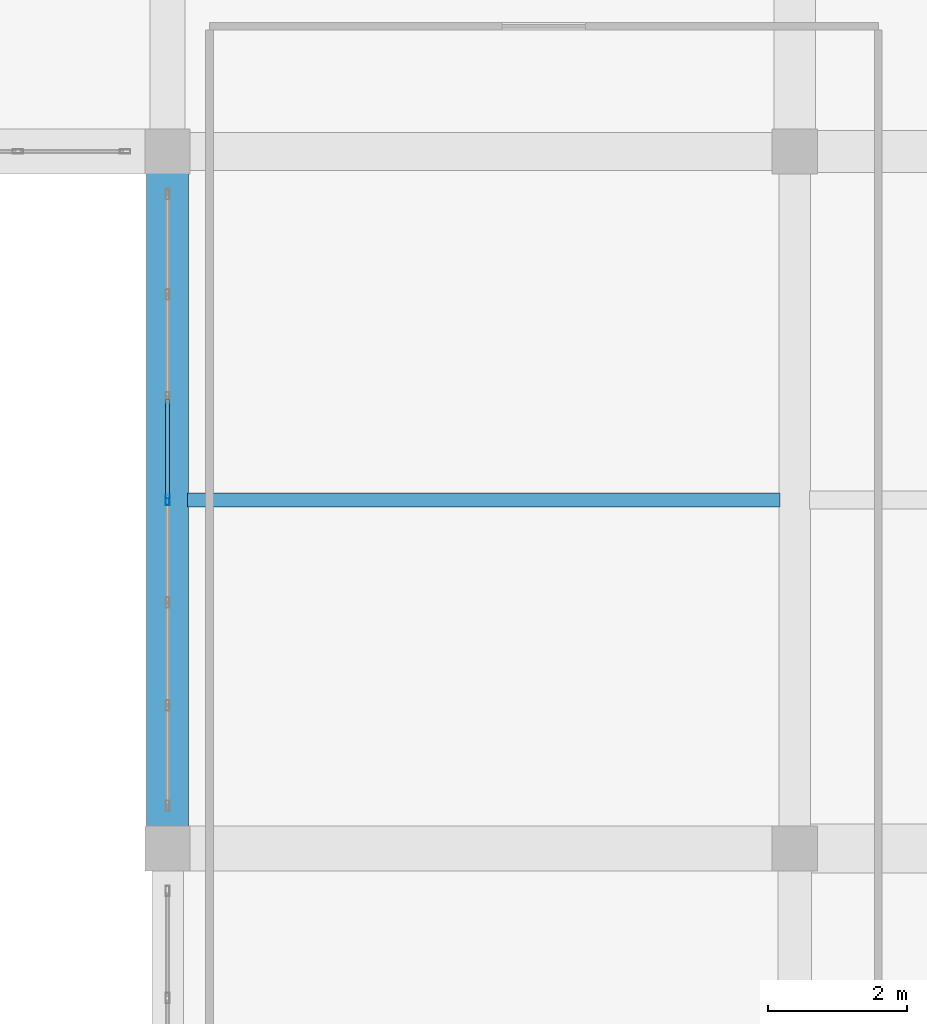
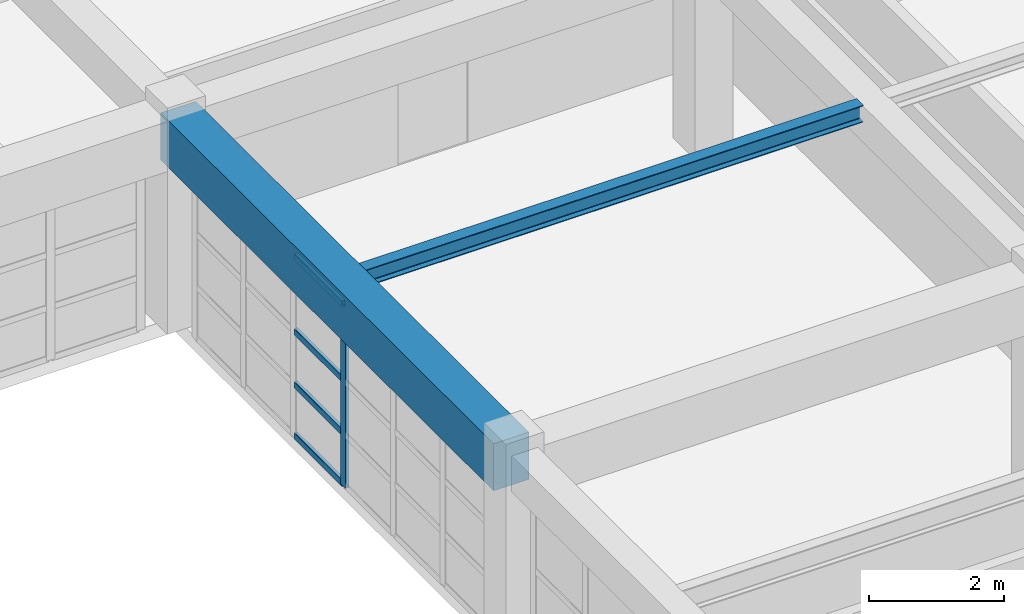
# One storey, part 30 of 130: 5 members, 2 beams, 1 element without a shape of its own.
"""IFC4 building model written with IfcOpenShell, lengths in metres."""

from ifc_helpers import new_model, si_unit, direction, frame, origin, origin_2d, place, context, subcontext, project, spatial, rectangle, hollow_rectangle, i_section, extrude, material, material_profile, profile_set, type_object, element, aggregate, save


model = new_model("IFC4")

# Units and contexts
model_context = context("Model", 3, precision=1e-05, world=origin(), true_north=direction((0.0, 1.0)))
body_context = subcontext(model_context, "Body", "Model", "MODEL_VIEW")
ifc_project = project(units=[si_unit("LENGTHUNIT", "METRE"), si_unit("AREAUNIT", "SQUARE_METRE"), si_unit("VOLUMEUNIT", "CUBIC_METRE"), si_unit("PLANEANGLEUNIT", "RADIAN"), si_unit("MASSUNIT", "GRAM", prefix="KILO")], contexts=[model_context])

# Site, building, storey
site_placement = place(None, origin())
site = spatial("IfcSite", under=ifc_project, at=site_placement, CompositionType="ELEMENT")
building_placement = place(site_placement, origin())
building = spatial("IfcBuilding", under=site, at=building_placement, Name="Miravela Opera House", CompositionType="ELEMENT")
storey_placement = place(building_placement, frame((0.0, 0.0, 9.52001953125)))
storey = spatial("IfcBuildingStorey", under=building, at=storey_placement, Name="L02", CompositionType="ELEMENT", Elevation=9.52001953125)

# Curtain wall, members
ifc_material_1 = material(Name="Anodised architectural bronze aluminium 6063-T6", Category="aluminium")
curtain_wall_type = type_object("IfcCurtainWallType", Name="ARC-CW-06", PredefinedType="NOTDEFINED", material=ifc_material_1)
curtain_wall_placement = place(storey_placement, origin())
curtain_wall = element("IfcCurtainWall", 1, at=curtain_wall_placement, inside=storey, type_object=curtain_wall_type, Name="Courtyard Arcade Curtain Wall CW-L02-147", PredefinedType="NOTDEFINED")
ifc_material_profile_1 = material_profile(ifc_material_1, hollow_rectangle(XDim=0.06005859375, YDim=0.14990234375, WallThickness=0.00390625, InnerFilletRadius=0.001953125, OuterFilletRadius=0.00390625, at=origin_2d()), Name="CWM-60X150")
ifc_profile_set_1 = profile_set([ifc_material_profile_1])
member_type_1 = type_object("IfcMemberType", Name="ARC-CWM-150", PredefinedType="MULLION", material=ifc_profile_set_1)
member_1_placement = place(storey_placement, frame((63.0, 23.0, 0.0), z_axis=(0.0, 0.0, 1.0), x_axis=(-1.0, 0.0, 0.0)))
member_1 = element("IfcMember", 2, at=member_1_placement, type_object=member_type_1, Name="CW-06 mullion 4", PredefinedType="MULLION", context=body_context, shape_type="SweptSolid", body=[
    extrude(hollow_rectangle(XDim=0.06005859375, YDim=0.14990234375, WallThickness=0.00390625, InnerFilletRadius=0.001953125, OuterFilletRadius=0.00390625, at=origin_2d()), origin(), (0.0, 0.0, 1.0), 3.2900390625),
])
ifc_material_profile_2 = material_profile(ifc_material_1, hollow_rectangle(XDim=0.06005859375, YDim=0.114990234375, WallThickness=0.00390625, InnerFilletRadius=0.001953125, OuterFilletRadius=0.00390625, at=origin_2d()), Name="CWT-60X115")
ifc_profile_set_2 = profile_set([ifc_material_profile_2])
member_type_2 = type_object("IfcMemberType", Name="ARC-CWT-115", PredefinedType="USERDEFINED", material=ifc_profile_set_2)
member_2_placement = place(storey_placement, frame((63.0, 23.030029296875, 0.030029296875), z_axis=(0.0, 1.0, 0.0), x_axis=(-1.0, 0.0, 0.0)))
member_2 = element("IfcMember", 3, at=member_2_placement, type_object=member_type_2, Name="CW-06 transom 4.1", ObjectType="TRANSOM", PredefinedType="USERDEFINED", context=body_context, shape_type="SweptSolid", body=[
    extrude(hollow_rectangle(XDim=0.06005859375, YDim=0.114990234375, WallThickness=0.00390625, InnerFilletRadius=0.001953125, OuterFilletRadius=0.00390625, at=origin_2d()), origin(), (0.0, 0.0, 1.0), 1.413330078125),
])
member_3_placement = place(storey_placement, frame((63.0, 23.030029296875, 0.949951171875), z_axis=(0.0, 1.0, 0.0), x_axis=(-1.0, 0.0, 0.0)))
member_3 = element("IfcMember", 4, at=member_3_placement, type_object=member_type_2, Name="CW-06 transom 4.2", ObjectType="TRANSOM", PredefinedType="USERDEFINED", context=body_context, shape_type="SweptSolid", body=[
    extrude(hollow_rectangle(XDim=0.06005859375, YDim=0.114990234375, WallThickness=0.00390625, InnerFilletRadius=0.001953125, OuterFilletRadius=0.00390625, at=origin_2d()), origin(), (0.0, 0.0, 1.0), 1.413330078125),
])
member_4_placement = place(storey_placement, frame((63.0, 23.030029296875, 1.908203125), z_axis=(0.0, 1.0, 0.0), x_axis=(-1.0, 0.0, 0.0)))
member_4 = element("IfcMember", 5, at=member_4_placement, type_object=member_type_2, Name="CW-06 transom 4.3", ObjectType="TRANSOM", PredefinedType="USERDEFINED", context=body_context, shape_type="SweptSolid", body=[
    extrude(hollow_rectangle(XDim=0.06005859375, YDim=0.114990234375, WallThickness=0.00390625, InnerFilletRadius=0.001953125, OuterFilletRadius=0.00390625, at=origin_2d()), origin(), (0.0, 0.0, 1.0), 1.413330078125),
])
member_5_placement = place(storey_placement, frame((63.0, 23.030029296875, 3.260009765625), z_axis=(0.0, 1.0, 0.0), x_axis=(-1.0, 0.0, 0.0)))
member_5 = element("IfcMember", 6, at=member_5_placement, type_object=member_type_2, Name="CW-06 transom 4.4", ObjectType="TRANSOM", PredefinedType="USERDEFINED", context=body_context, shape_type="SweptSolid", body=[
    extrude(hollow_rectangle(XDim=0.06005859375, YDim=0.114990234375, WallThickness=0.00390625, InnerFilletRadius=0.001953125, OuterFilletRadius=0.00390625, at=origin_2d()), origin(), (0.0, 0.0, 1.0), 1.413330078125),
])
aggregate(curtain_wall, [member_1, member_2, member_3, member_4, member_5])

# Beams
ifc_material_2 = material(Name="Concrete C40/50", Category="concrete")
ifc_material_profile_3 = material_profile(ifc_material_2, rectangle(XDim=0.60009765625, YDim=0.85009765625, at=origin_2d()), Name="RC-BM-600X850")
ifc_profile_set_3 = profile_set([ifc_material_profile_3])
beam_type_1 = type_object("IfcBeamType", Name="STR-BM-RC600X850", PredefinedType="BEAM", material=ifc_profile_set_3)
beam_1_placement = place(storey_placement, frame((63.0, 18.080078125, 3.4150390625), z_axis=(0.0, 1.0, 0.0), x_axis=(-1.0, 0.0, 0.0)))
element("IfcBeam", 7, at=beam_1_placement, inside=storey, type_object=beam_type_1, Name="Floor Girder L02 8/C-D", PredefinedType="BEAM", context=body_context, shape_type="SweptSolid", body=[
    extrude(rectangle(XDim=0.60009765625, YDim=0.85009765625, at=origin_2d()), origin(), (0.0, 0.0, 1.0), 9.83984375),
])
ifc_material_3 = material(Name="Structural steel ASTM A992 Gr. 50", Category="steel")
ifc_material_profile_4 = material_profile(ifc_material_3, i_section(OverallWidth=0.202880859375, OverallDepth=0.302978515625, WebThickness=0.007568359375, FlangeThickness=0.01318359375, FilletRadius=0.012939453125, at=origin_2d()), Name="W310X60")
ifc_profile_set_4 = profile_set([ifc_material_profile_4])
beam_type_2 = type_object("IfcBeamType", Name="STR-BM-W310X60", PredefinedType="JOIST", material=ifc_profile_set_4)
beam_2_placement = place(storey_placement, frame((63.284912109375, 23.0, 3.6884765625), z_axis=(1.0, 0.0, 0.0), x_axis=(0.0, 1.0, 0.0)))
element("IfcBeam", 8, at=beam_2_placement, inside=storey, type_object=beam_type_2, Name="Secondary Floor Joist L02 8-9/C-D", PredefinedType="JOIST", context=body_context, shape_type="SweptSolid", body=[
    extrude(i_section(OverallWidth=0.202880859375, OverallDepth=0.302978515625, WebThickness=0.007568359375, FlangeThickness=0.01318359375, FilletRadius=0.012939453125, at=origin_2d()), origin(), (0.0, 0.0, 1.0), 8.505126953125),
])

save(model, "model.ifc")
